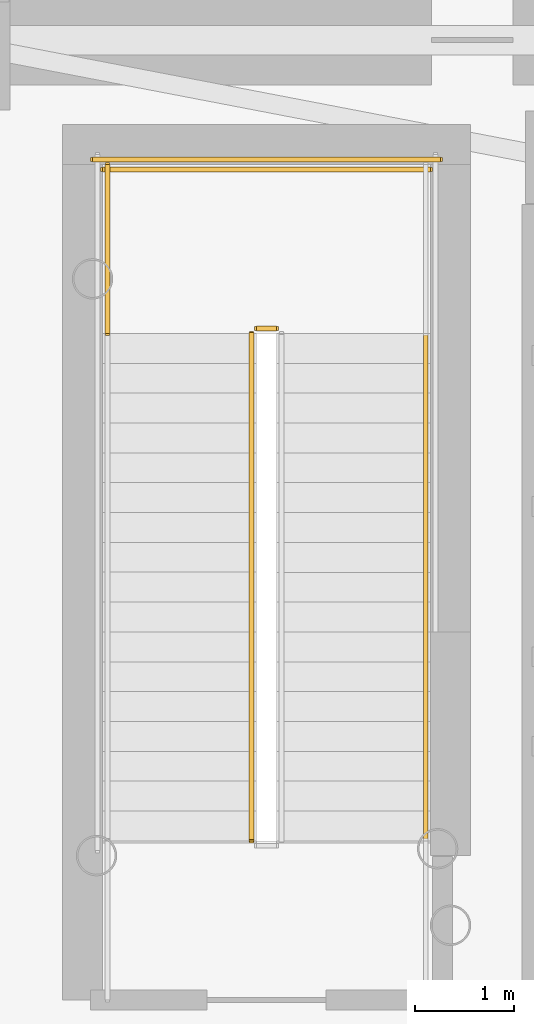
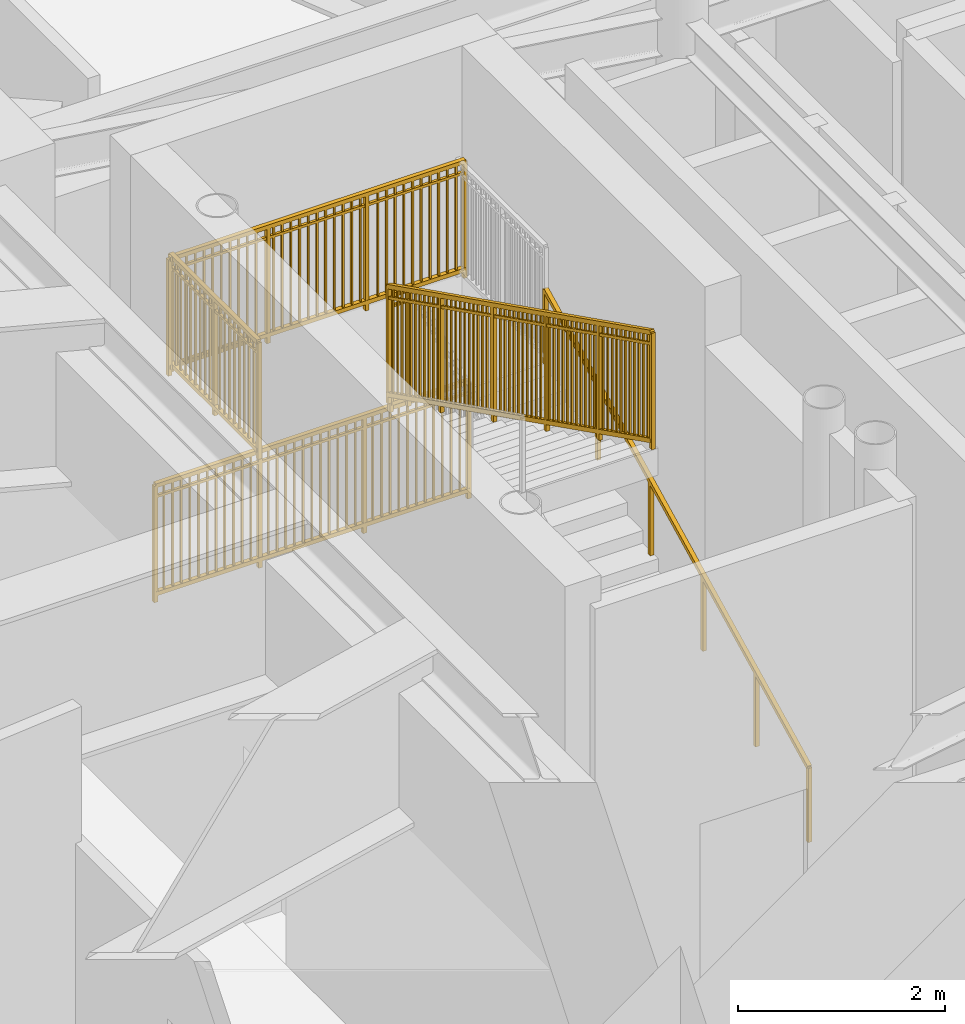
# One storey, part 18 of 22: 6 railings.
"""IFC4 building model written with IfcOpenShell, lengths in metres."""

from ifc_helpers import new_model, si_unit, direction, frame, origin, origin_2d, place, context, subcontext, project, spatial, rectangle, extrude, source, transform, mapped, material, type_object, element, save


model = new_model("IFC4")

# Units and contexts
model_context = context("Model", 3, precision=1e-05, world=origin(), true_north=direction((0.0, 1.0)))
body_context = subcontext(model_context, "Body", "Model", "MODEL_VIEW")
ifc_project = project(units=[si_unit("LENGTHUNIT", "METRE"), si_unit("AREAUNIT", "SQUARE_METRE"), si_unit("VOLUMEUNIT", "CUBIC_METRE"), si_unit("PLANEANGLEUNIT", "RADIAN"), si_unit("MASSUNIT", "GRAM", prefix="KILO")], contexts=[model_context])

# Site, building, storey
site_placement = place(None, origin())
site = spatial("IfcSite", under=ifc_project, at=site_placement, CompositionType="ELEMENT")
building_placement = place(site_placement, origin())
building = spatial("IfcBuilding", under=site, at=building_placement, Name="Linh Dai School and Residence Tower", CompositionType="ELEMENT")
storey_placement = place(building_placement, frame((0.0, 0.0, 87.0)))
storey = spatial("IfcBuildingStorey", under=building, at=storey_placement, Name="L20", CompositionType="ELEMENT", Elevation=87.0)

# Railings
ifc_material_1 = material(Name="Structural Steel S355JR", Category="steel")
railing_type_1 = type_object("IfcRailingType", Name="RL-ST-GUARD-1400", PredefinedType="GUARDRAIL", material=ifc_material_1)
shared_shape_1 = source(origin(), body_context, "Body", "SweptSolid", [
    extrude(rectangle(XDim=0.048095703125, YDim=0.048095703125, at=origin_2d()), frame((0.0, 0.0, 1.3759765625), z_axis=(-1.0, 0.0, 0.0), x_axis=(0.0, -1.0, 0.0)), (0.0, 0.0, 1.0), 0.199951171875),
    extrude(rectangle(XDim=0.048095703125, YDim=0.048095703125, at=origin_2d()), frame((0.0, 0.0, 0.10009765625), z_axis=(-1.0, 0.0, 0.0), x_axis=(0.0, -1.0, 0.0)), (0.0, 0.0, 1.0), 0.199951171875),
    extrude(rectangle(XDim=0.030029296875, YDim=0.030029296875, at=origin_2d()), frame((0.0, 0.0, 1.239990234375), z_axis=(-1.0, 0.0, 0.0), x_axis=(0.0, -1.0, 0.0)), (0.0, 0.0, 1.0), 0.199951171875),
    extrude(rectangle(XDim=0.0419921875, YDim=0.0419921875, at=origin_2d()), origin(), (0.0, 0.0, 1.0), 1.3759765625),
    extrude(rectangle(XDim=0.0419921875, YDim=0.0419921875, at=origin_2d()), frame((-0.199951171875, 0.0, 0.0)), (0.0, 0.0, 1.0), 1.3759765625),
])
railing_1_placement = place(storey_placement, frame((29.429931640625, 30.85009765625, 2.699951171875)))
element("IfcRailing", 1, at=railing_1_placement, inside=storey, type_object=railing_type_1, Name="L20 ST1 stair guard 2", PredefinedType="GUARDRAIL", context=body_context, shape_type="MappedRepresentation", body=[
    mapped(shared_shape_1, transform((0.0, 0.0, 0.0), x_axis=(1.0, 0.0, 0.0), y_axis=(0.0, 1.0, 0.0), z_axis=(0.0, 0.0, 1.0), scale=1.0)),
])
shared_shape_2 = source(origin(), body_context, "Body", "SweptSolid", [
    extrude(rectangle(XDim=0.048095703125, YDim=0.048095703125, at=origin_2d()), frame((0.0, 0.0, 1.3759765625), z_axis=(-1.0, 0.0, 0.0), x_axis=(0.0, -1.0, 0.0)), (0.0, 0.0, 1.0), 3.300048828125),
    extrude(rectangle(XDim=0.048095703125, YDim=0.048095703125, at=origin_2d()), frame((0.0, 0.0, 0.10009765625), z_axis=(-1.0, 0.0, 0.0), x_axis=(0.0, -1.0, 0.0)), (0.0, 0.0, 1.0), 3.300048828125),
    extrude(rectangle(XDim=0.030029296875, YDim=0.030029296875, at=origin_2d()), frame((0.0, 0.0, 1.239990234375), z_axis=(-1.0, 0.0, 0.0), x_axis=(0.0, -1.0, 0.0)), (0.0, 0.0, 1.0), 3.300048828125),
    extrude(rectangle(XDim=0.02001953125, YDim=0.02001953125, at=origin_2d()), frame((-0.09716796875, 0.0, 0.10009765625)), (0.0, 0.0, 1.0), 1.251708984375),
    extrude(rectangle(XDim=0.02001953125, YDim=0.02001953125, at=origin_2d()), frame((-0.194091796875, 0.0, 0.10009765625)), (0.0, 0.0, 1.0), 1.251708984375),
    extrude(rectangle(XDim=0.02001953125, YDim=0.02001953125, at=origin_2d()), frame((-0.291259765625, 0.0, 0.10009765625)), (0.0, 0.0, 1.0), 1.251708984375),
    extrude(rectangle(XDim=0.02001953125, YDim=0.02001953125, at=origin_2d()), frame((-0.38818359375, 0.0, 0.10009765625)), (0.0, 0.0, 1.0), 1.251708984375),
    extrude(rectangle(XDim=0.02001953125, YDim=0.02001953125, at=origin_2d()), frame((-0.4853515625, 0.0, 0.10009765625)), (0.0, 0.0, 1.0), 1.251708984375),
    extrude(rectangle(XDim=0.02001953125, YDim=0.02001953125, at=origin_2d()), frame((-0.582275390625, 0.0, 0.10009765625)), (0.0, 0.0, 1.0), 1.251708984375),
    extrude(rectangle(XDim=0.02001953125, YDim=0.02001953125, at=origin_2d()), frame((-0.679443359375, 0.0, 0.10009765625)), (0.0, 0.0, 1.0), 1.251708984375),
    extrude(rectangle(XDim=0.02001953125, YDim=0.02001953125, at=origin_2d()), frame((-0.7763671875, 0.0, 0.10009765625)), (0.0, 0.0, 1.0), 1.251708984375),
    extrude(rectangle(XDim=0.02001953125, YDim=0.02001953125, at=origin_2d()), frame((-0.87353515625, 0.0, 0.10009765625)), (0.0, 0.0, 1.0), 1.251708984375),
    extrude(rectangle(XDim=0.02001953125, YDim=0.02001953125, at=origin_2d()), frame((-0.970703125, 0.0, 0.10009765625)), (0.0, 0.0, 1.0), 1.251708984375),
    extrude(rectangle(XDim=0.02001953125, YDim=0.02001953125, at=origin_2d()), frame((-1.164794921875, 0.0, 0.10009765625)), (0.0, 0.0, 1.0), 1.251708984375),
    extrude(rectangle(XDim=0.02001953125, YDim=0.02001953125, at=origin_2d()), frame((-1.26171875, 0.0, 0.10009765625)), (0.0, 0.0, 1.0), 1.251708984375),
    extrude(rectangle(XDim=0.02001953125, YDim=0.02001953125, at=origin_2d()), frame((-1.35888671875, 0.0, 0.10009765625)), (0.0, 0.0, 1.0), 1.251708984375),
    extrude(rectangle(XDim=0.02001953125, YDim=0.02001953125, at=origin_2d()), frame((-1.455810546875, 0.0, 0.10009765625)), (0.0, 0.0, 1.0), 1.251708984375),
    extrude(rectangle(XDim=0.02001953125, YDim=0.02001953125, at=origin_2d()), frame((-1.552978515625, 0.0, 0.10009765625)), (0.0, 0.0, 1.0), 1.251708984375),
    extrude(rectangle(XDim=0.02001953125, YDim=0.02001953125, at=origin_2d()), frame((-1.64990234375, 0.0, 0.10009765625)), (0.0, 0.0, 1.0), 1.251708984375),
    extrude(rectangle(XDim=0.02001953125, YDim=0.02001953125, at=origin_2d()), frame((-1.7470703125, 0.0, 0.10009765625)), (0.0, 0.0, 1.0), 1.251708984375),
    extrude(rectangle(XDim=0.02001953125, YDim=0.02001953125, at=origin_2d()), frame((-1.84423828125, 0.0, 0.10009765625)), (0.0, 0.0, 1.0), 1.251708984375),
    extrude(rectangle(XDim=0.02001953125, YDim=0.02001953125, at=origin_2d()), frame((-1.941162109375, 0.0, 0.10009765625)), (0.0, 0.0, 1.0), 1.251708984375),
    extrude(rectangle(XDim=0.02001953125, YDim=0.02001953125, at=origin_2d()), frame((-2.038330078125, 0.0, 0.10009765625)), (0.0, 0.0, 1.0), 1.251708984375),
    extrude(rectangle(XDim=0.02001953125, YDim=0.02001953125, at=origin_2d()), frame((-2.13525390625, 0.0, 0.10009765625)), (0.0, 0.0, 1.0), 1.251708984375),
    extrude(rectangle(XDim=0.02001953125, YDim=0.02001953125, at=origin_2d()), frame((-2.329345703125, 0.0, 0.10009765625)), (0.0, 0.0, 1.0), 1.251708984375),
    extrude(rectangle(XDim=0.02001953125, YDim=0.02001953125, at=origin_2d()), frame((-2.426513671875, 0.0, 0.10009765625)), (0.0, 0.0, 1.0), 1.251708984375),
    extrude(rectangle(XDim=0.02001953125, YDim=0.02001953125, at=origin_2d()), frame((-2.523681640625, 0.0, 0.10009765625)), (0.0, 0.0, 1.0), 1.251708984375),
    extrude(rectangle(XDim=0.02001953125, YDim=0.02001953125, at=origin_2d()), frame((-2.62060546875, 0.0, 0.10009765625)), (0.0, 0.0, 1.0), 1.251708984375),
    extrude(rectangle(XDim=0.02001953125, YDim=0.02001953125, at=origin_2d()), frame((-2.7177734375, 0.0, 0.10009765625)), (0.0, 0.0, 1.0), 1.251708984375),
    extrude(rectangle(XDim=0.02001953125, YDim=0.02001953125, at=origin_2d()), frame((-2.814697265625, 0.0, 0.10009765625)), (0.0, 0.0, 1.0), 1.251708984375),
    extrude(rectangle(XDim=0.02001953125, YDim=0.02001953125, at=origin_2d()), frame((-2.911865234375, 0.0, 0.10009765625)), (0.0, 0.0, 1.0), 1.251708984375),
    extrude(rectangle(XDim=0.02001953125, YDim=0.02001953125, at=origin_2d()), frame((-3.0087890625, 0.0, 0.10009765625)), (0.0, 0.0, 1.0), 1.251708984375),
    extrude(rectangle(XDim=0.02001953125, YDim=0.02001953125, at=origin_2d()), frame((-3.10595703125, 0.0, 0.10009765625)), (0.0, 0.0, 1.0), 1.251708984375),
    extrude(rectangle(XDim=0.02001953125, YDim=0.02001953125, at=origin_2d()), frame((-3.202880859375, 0.0, 0.10009765625)), (0.0, 0.0, 1.0), 1.251708984375),
    extrude(rectangle(XDim=0.0419921875, YDim=0.0419921875, at=origin_2d()), origin(), (0.0, 0.0, 1.0), 1.3759765625),
    extrude(rectangle(XDim=0.0419921875, YDim=0.0419921875, at=origin_2d()), frame((-1.10009765625, 0.0, 0.0)), (0.0, 0.0, 1.0), 1.3759765625),
    extrude(rectangle(XDim=0.0419921875, YDim=0.0419921875, at=origin_2d()), frame((-2.199951171875, 0.0, 0.0)), (0.0, 0.0, 1.0), 1.3759765625),
    extrude(rectangle(XDim=0.0419921875, YDim=0.0419921875, at=origin_2d()), frame((-3.300048828125, 0.0, 0.0)), (0.0, 0.0, 1.0), 1.3759765625),
])
railing_2_placement = place(storey_placement, frame((30.97998046875, 32.449951171875, 2.699951171875)))
element("IfcRailing", 2, at=railing_2_placement, inside=storey, type_object=railing_type_1, Name="L20 ST1 stair guard 5", PredefinedType="GUARDRAIL", context=body_context, shape_type="MappedRepresentation", body=[
    mapped(shared_shape_2, transform((0.0, 0.0, 0.0), x_axis=(1.0, 0.0, 0.0), y_axis=(0.0, 1.0, 0.0), z_axis=(0.0, 0.0, 1.0), scale=1.0)),
])
shared_shape_3 = source(origin(), body_context, "Body", "SweptSolid", [
    extrude(rectangle(XDim=0.048095703125, YDim=0.048095703125, at=origin_2d()), frame((0.0, 0.0, 1.3759765625), z_axis=(-1.0, 0.0, 0.0), x_axis=(0.0, -1.0, 0.0)), (0.0, 0.0, 1.0), 3.5),
    extrude(rectangle(XDim=0.048095703125, YDim=0.048095703125, at=origin_2d()), frame((0.0, 0.0, 0.10009765625), z_axis=(-1.0, 0.0, 0.0), x_axis=(0.0, -1.0, 0.0)), (0.0, 0.0, 1.0), 3.5),
    extrude(rectangle(XDim=0.030029296875, YDim=0.030029296875, at=origin_2d()), frame((0.0, 0.0, 1.239990234375), z_axis=(-1.0, 0.0, 0.0), x_axis=(0.0, -1.0, 0.0)), (0.0, 0.0, 1.0), 3.5),
    extrude(rectangle(XDim=0.02001953125, YDim=0.02001953125, at=origin_2d()), frame((-0.09716796875, 0.0, 0.10009765625)), (0.0, 0.0, 1.0), 1.251708984375),
    extrude(rectangle(XDim=0.02001953125, YDim=0.02001953125, at=origin_2d()), frame((-0.1943359375, 0.0, 0.10009765625)), (0.0, 0.0, 1.0), 1.251708984375),
    extrude(rectangle(XDim=0.02001953125, YDim=0.02001953125, at=origin_2d()), frame((-0.291748046875, 0.0, 0.10009765625)), (0.0, 0.0, 1.0), 1.251708984375),
    extrude(rectangle(XDim=0.02001953125, YDim=0.02001953125, at=origin_2d()), frame((-0.388916015625, 0.0, 0.10009765625)), (0.0, 0.0, 1.0), 1.251708984375),
    extrude(rectangle(XDim=0.02001953125, YDim=0.02001953125, at=origin_2d()), frame((-0.486083984375, 0.0, 0.10009765625)), (0.0, 0.0, 1.0), 1.251708984375),
    extrude(rectangle(XDim=0.02001953125, YDim=0.02001953125, at=origin_2d()), frame((-0.583251953125, 0.0, 0.10009765625)), (0.0, 0.0, 1.0), 1.251708984375),
    extrude(rectangle(XDim=0.02001953125, YDim=0.02001953125, at=origin_2d()), frame((-0.6806640625, 0.0, 0.10009765625)), (0.0, 0.0, 1.0), 1.251708984375),
    extrude(rectangle(XDim=0.02001953125, YDim=0.02001953125, at=origin_2d()), frame((-0.77783203125, 0.0, 0.10009765625)), (0.0, 0.0, 1.0), 1.251708984375),
    extrude(rectangle(XDim=0.02001953125, YDim=0.02001953125, at=origin_2d()), frame((-0.875, 0.0, 0.10009765625)), (0.0, 0.0, 1.0), 1.251708984375),
    extrude(rectangle(XDim=0.02001953125, YDim=0.02001953125, at=origin_2d()), frame((-0.97216796875, 0.0, 0.10009765625)), (0.0, 0.0, 1.0), 1.251708984375),
    extrude(rectangle(XDim=0.02001953125, YDim=0.02001953125, at=origin_2d()), frame((-1.0693359375, 0.0, 0.10009765625)), (0.0, 0.0, 1.0), 1.251708984375),
    extrude(rectangle(XDim=0.02001953125, YDim=0.02001953125, at=origin_2d()), frame((-1.263916015625, 0.0, 0.10009765625)), (0.0, 0.0, 1.0), 1.251708984375),
    extrude(rectangle(XDim=0.02001953125, YDim=0.02001953125, at=origin_2d()), frame((-1.361083984375, 0.0, 0.10009765625)), (0.0, 0.0, 1.0), 1.251708984375),
    extrude(rectangle(XDim=0.02001953125, YDim=0.02001953125, at=origin_2d()), frame((-1.458251953125, 0.0, 0.10009765625)), (0.0, 0.0, 1.0), 1.251708984375),
    extrude(rectangle(XDim=0.02001953125, YDim=0.02001953125, at=origin_2d()), frame((-1.5556640625, 0.0, 0.10009765625)), (0.0, 0.0, 1.0), 1.251708984375),
    extrude(rectangle(XDim=0.02001953125, YDim=0.02001953125, at=origin_2d()), frame((-1.65283203125, 0.0, 0.10009765625)), (0.0, 0.0, 1.0), 1.251708984375),
    extrude(rectangle(XDim=0.02001953125, YDim=0.02001953125, at=origin_2d()), frame((-1.75, 0.0, 0.10009765625)), (0.0, 0.0, 1.0), 1.251708984375),
    extrude(rectangle(XDim=0.02001953125, YDim=0.02001953125, at=origin_2d()), frame((-1.84716796875, 0.0, 0.10009765625)), (0.0, 0.0, 1.0), 1.251708984375),
    extrude(rectangle(XDim=0.02001953125, YDim=0.02001953125, at=origin_2d()), frame((-1.9443359375, 0.0, 0.10009765625)), (0.0, 0.0, 1.0), 1.251708984375),
    extrude(rectangle(XDim=0.02001953125, YDim=0.02001953125, at=origin_2d()), frame((-2.041748046875, 0.0, 0.10009765625)), (0.0, 0.0, 1.0), 1.251708984375),
    extrude(rectangle(XDim=0.02001953125, YDim=0.02001953125, at=origin_2d()), frame((-2.138916015625, 0.0, 0.10009765625)), (0.0, 0.0, 1.0), 1.251708984375),
    extrude(rectangle(XDim=0.02001953125, YDim=0.02001953125, at=origin_2d()), frame((-2.236083984375, 0.0, 0.10009765625)), (0.0, 0.0, 1.0), 1.251708984375),
    extrude(rectangle(XDim=0.02001953125, YDim=0.02001953125, at=origin_2d()), frame((-2.4306640625, 0.0, 0.10009765625)), (0.0, 0.0, 1.0), 1.251708984375),
    extrude(rectangle(XDim=0.02001953125, YDim=0.02001953125, at=origin_2d()), frame((-2.52783203125, 0.0, 0.10009765625)), (0.0, 0.0, 1.0), 1.251708984375),
    extrude(rectangle(XDim=0.02001953125, YDim=0.02001953125, at=origin_2d()), frame((-2.625, 0.0, 0.10009765625)), (0.0, 0.0, 1.0), 1.251708984375),
    extrude(rectangle(XDim=0.02001953125, YDim=0.02001953125, at=origin_2d()), frame((-2.72216796875, 0.0, 0.10009765625)), (0.0, 0.0, 1.0), 1.251708984375),
    extrude(rectangle(XDim=0.02001953125, YDim=0.02001953125, at=origin_2d()), frame((-2.8193359375, 0.0, 0.10009765625)), (0.0, 0.0, 1.0), 1.251708984375),
    extrude(rectangle(XDim=0.02001953125, YDim=0.02001953125, at=origin_2d()), frame((-2.916748046875, 0.0, 0.10009765625)), (0.0, 0.0, 1.0), 1.251708984375),
    extrude(rectangle(XDim=0.02001953125, YDim=0.02001953125, at=origin_2d()), frame((-3.013916015625, 0.0, 0.10009765625)), (0.0, 0.0, 1.0), 1.251708984375),
    extrude(rectangle(XDim=0.02001953125, YDim=0.02001953125, at=origin_2d()), frame((-3.111083984375, 0.0, 0.10009765625)), (0.0, 0.0, 1.0), 1.251708984375),
    extrude(rectangle(XDim=0.02001953125, YDim=0.02001953125, at=origin_2d()), frame((-3.208251953125, 0.0, 0.10009765625)), (0.0, 0.0, 1.0), 1.251708984375),
    extrude(rectangle(XDim=0.02001953125, YDim=0.02001953125, at=origin_2d()), frame((-3.3056640625, 0.0, 0.10009765625)), (0.0, 0.0, 1.0), 1.251708984375),
    extrude(rectangle(XDim=0.02001953125, YDim=0.02001953125, at=origin_2d()), frame((-3.40283203125, 0.0, 0.10009765625)), (0.0, 0.0, 1.0), 1.251708984375),
    extrude(rectangle(XDim=0.0419921875, YDim=0.0419921875, at=origin_2d()), origin(), (0.0, 0.0, 1.0), 1.3759765625),
    extrude(rectangle(XDim=0.0419921875, YDim=0.0419921875, at=origin_2d()), frame((-1.166748046875, 0.0, 0.0)), (0.0, 0.0, 1.0), 1.3759765625),
    extrude(rectangle(XDim=0.0419921875, YDim=0.0419921875, at=origin_2d()), frame((-2.333251953125, 0.0, 0.0)), (0.0, 0.0, 1.0), 1.3759765625),
    extrude(rectangle(XDim=0.0419921875, YDim=0.0419921875, at=origin_2d()), frame((-3.5, 0.0, 0.0)), (0.0, 0.0, 1.0), 1.3759765625),
])
railing_3_placement = place(storey_placement, frame((31.080078125, 32.550048828125, 0.0)))
element("IfcRailing", 3, at=railing_3_placement, inside=storey, type_object=railing_type_1, Name="L20 ST1 stair guard 12", PredefinedType="GUARDRAIL", context=body_context, shape_type="MappedRepresentation", body=[
    mapped(shared_shape_3, transform((0.0, 0.0, 0.0), x_axis=(1.0, 0.0, 0.0), y_axis=(0.0, 1.0, 0.0), z_axis=(0.0, 0.0, 1.0), scale=1.0)),
])
shared_shape_4 = source(origin(), body_context, "Body", "SweptSolid", [
    extrude(rectangle(XDim=0.048095703125, YDim=0.048095703125, at=origin_2d()), frame((0.0, 0.0, 1.3759765625), z_axis=(0.0, 1.0, 0.0), x_axis=(-1.0, 0.0, 0.0)), (0.0, 0.0, 1.0), 1.699951171875),
    extrude(rectangle(XDim=0.048095703125, YDim=0.048095703125, at=origin_2d()), frame((0.0, 0.0, 0.10009765625), z_axis=(0.0, 1.0, 0.0), x_axis=(-1.0, 0.0, 0.0)), (0.0, 0.0, 1.0), 1.699951171875),
    extrude(rectangle(XDim=0.030029296875, YDim=0.030029296875, at=origin_2d()), frame((0.0, 0.0, 1.239990234375), z_axis=(0.0, 1.0, 0.0), x_axis=(-1.0, 0.0, 0.0)), (0.0, 0.0, 1.0), 1.699951171875),
    extrude(rectangle(XDim=0.02001953125, YDim=0.02001953125, at=origin_2d()), frame((0.0, 0.094482421875, 0.10009765625)), (0.0, 0.0, 1.0), 1.251708984375),
    extrude(rectangle(XDim=0.02001953125, YDim=0.02001953125, at=origin_2d()), frame((0.0, 0.18896484375, 0.10009765625)), (0.0, 0.0, 1.0), 1.251708984375),
    extrude(rectangle(XDim=0.02001953125, YDim=0.02001953125, at=origin_2d()), frame((0.0, 0.283203125, 0.10009765625)), (0.0, 0.0, 1.0), 1.251708984375),
    extrude(rectangle(XDim=0.02001953125, YDim=0.02001953125, at=origin_2d()), frame((0.0, 0.377685546875, 0.10009765625)), (0.0, 0.0, 1.0), 1.251708984375),
    extrude(rectangle(XDim=0.02001953125, YDim=0.02001953125, at=origin_2d()), frame((0.0, 0.47216796875, 0.10009765625)), (0.0, 0.0, 1.0), 1.251708984375),
    extrude(rectangle(XDim=0.02001953125, YDim=0.02001953125, at=origin_2d()), frame((0.0, 0.566650390625, 0.10009765625)), (0.0, 0.0, 1.0), 1.251708984375),
    extrude(rectangle(XDim=0.02001953125, YDim=0.02001953125, at=origin_2d()), frame((0.0, 0.6611328125, 0.10009765625)), (0.0, 0.0, 1.0), 1.251708984375),
    extrude(rectangle(XDim=0.02001953125, YDim=0.02001953125, at=origin_2d()), frame((0.0, 0.755615234375, 0.10009765625)), (0.0, 0.0, 1.0), 1.251708984375),
    extrude(rectangle(XDim=0.02001953125, YDim=0.02001953125, at=origin_2d()), frame((0.0, 0.9443359375, 0.10009765625)), (0.0, 0.0, 1.0), 1.251708984375),
    extrude(rectangle(XDim=0.02001953125, YDim=0.02001953125, at=origin_2d()), frame((0.0, 1.038818359375, 0.10009765625)), (0.0, 0.0, 1.0), 1.251708984375),
    extrude(rectangle(XDim=0.02001953125, YDim=0.02001953125, at=origin_2d()), frame((0.0, 1.13330078125, 0.10009765625)), (0.0, 0.0, 1.0), 1.251708984375),
    extrude(rectangle(XDim=0.02001953125, YDim=0.02001953125, at=origin_2d()), frame((0.0, 1.227783203125, 0.10009765625)), (0.0, 0.0, 1.0), 1.251708984375),
    extrude(rectangle(XDim=0.02001953125, YDim=0.02001953125, at=origin_2d()), frame((0.0, 1.322265625, 0.10009765625)), (0.0, 0.0, 1.0), 1.251708984375),
    extrude(rectangle(XDim=0.02001953125, YDim=0.02001953125, at=origin_2d()), frame((0.0, 1.41650390625, 0.10009765625)), (0.0, 0.0, 1.0), 1.251708984375),
    extrude(rectangle(XDim=0.02001953125, YDim=0.02001953125, at=origin_2d()), frame((0.0, 1.510986328125, 0.10009765625)), (0.0, 0.0, 1.0), 1.251708984375),
    extrude(rectangle(XDim=0.02001953125, YDim=0.02001953125, at=origin_2d()), frame((0.0, 1.60546875, 0.10009765625)), (0.0, 0.0, 1.0), 1.251708984375),
    extrude(rectangle(XDim=0.0419921875, YDim=0.0419921875, at=origin_2d()), origin(), (0.0, 0.0, 1.0), 1.3759765625),
    extrude(rectangle(XDim=0.0419921875, YDim=0.0419921875, at=origin_2d()), frame((0.0, 0.85009765625, 0.0)), (0.0, 0.0, 1.0), 1.3759765625),
    extrude(rectangle(XDim=0.0419921875, YDim=0.0419921875, at=origin_2d()), frame((0.0, 1.699951171875, 0.0)), (0.0, 0.0, 1.0), 1.3759765625),
])
railing_4_placement = place(storey_placement, frame((27.72998046875, 30.800048828125, 2.699951171875)))
element("IfcRailing", 4, at=railing_4_placement, inside=storey, type_object=railing_type_1, Name="L20 ST1 stair guard 4", PredefinedType="GUARDRAIL", context=body_context, shape_type="MappedRepresentation", body=[
    mapped(shared_shape_4, transform((0.0, 0.0, 0.0), x_axis=(1.0, 0.0, 0.0), y_axis=(0.0, 1.0, 0.0), z_axis=(0.0, 0.0, 1.0), scale=1.0)),
])
shared_shape_5 = source(origin(), body_context, "Body", "SweptSolid", [
    extrude(rectangle(XDim=0.048095703125, YDim=0.048095703125, at=origin_2d()), frame((0.0, 0.0, 1.3759765625), z_axis=(0.0, -0.89444431709, 0.44717934168), x_axis=(1.0, 0.0, 0.0)), (0.0, 0.0, 1.0), 5.701904296875),
    extrude(rectangle(XDim=0.048095703125, YDim=0.048095703125, at=origin_2d()), frame((0.0, 0.0, 0.10009765625), z_axis=(0.0, -0.89444431709, 0.44717934168), x_axis=(1.0, 0.0, 0.0)), (0.0, 0.0, 1.0), 5.701904296875),
    extrude(rectangle(XDim=0.030029296875, YDim=0.030029296875, at=origin_2d()), frame((0.0, 0.0, 1.239990234375), z_axis=(0.0, -0.89444431709, 0.44717934168), x_axis=(1.0, 0.0, 0.0)), (0.0, 0.0, 1.0), 5.701904296875),
    extrude(rectangle(XDim=0.02001953125, YDim=0.02001953125, at=origin_2d()), frame((0.0, -0.08642578125, 0.143310546875)), (0.0, 0.0, 1.0), 1.251708984375),
    extrude(rectangle(XDim=0.02001953125, YDim=0.02001953125, at=origin_2d()), frame((0.0, -0.1728515625, 0.1865234375)), (0.0, 0.0, 1.0), 1.251708984375),
    extrude(rectangle(XDim=0.02001953125, YDim=0.02001953125, at=origin_2d()), frame((0.0, -0.25927734375, 0.229736328125)), (0.0, 0.0, 1.0), 1.251708984375),
    extrude(rectangle(XDim=0.02001953125, YDim=0.02001953125, at=origin_2d()), frame((0.0, -0.345703125, 0.27294921875)), (0.0, 0.0, 1.0), 1.251708984375),
    extrude(rectangle(XDim=0.02001953125, YDim=0.02001953125, at=origin_2d()), frame((0.0, -0.43212890625, 0.316162109375)), (0.0, 0.0, 1.0), 1.251708984375),
    extrude(rectangle(XDim=0.02001953125, YDim=0.02001953125, at=origin_2d()), frame((0.0, -0.5185546875, 0.359375)), (0.0, 0.0, 1.0), 1.251708984375),
    extrude(rectangle(XDim=0.02001953125, YDim=0.02001953125, at=origin_2d()), frame((0.0, -0.60498046875, 0.402587890625)), (0.0, 0.0, 1.0), 1.251708984375),
    extrude(rectangle(XDim=0.02001953125, YDim=0.02001953125, at=origin_2d()), frame((0.0, -0.691650390625, 0.44580078125)), (0.0, 0.0, 1.0), 1.251708984375),
    extrude(rectangle(XDim=0.02001953125, YDim=0.02001953125, at=origin_2d()), frame((0.0, -0.778076171875, 0.489013671875)), (0.0, 0.0, 1.0), 1.251708984375),
    extrude(rectangle(XDim=0.02001953125, YDim=0.02001953125, at=origin_2d()), frame((0.0, -0.864501953125, 0.5322265625)), (0.0, 0.0, 1.0), 1.251708984375),
    extrude(rectangle(XDim=0.02001953125, YDim=0.02001953125, at=origin_2d()), frame((0.0, -0.950927734375, 0.575439453125)), (0.0, 0.0, 1.0), 1.251708984375),
    extrude(rectangle(XDim=0.02001953125, YDim=0.02001953125, at=origin_2d()), frame((0.0, -1.123779296875, 0.661865234375)), (0.0, 0.0, 1.0), 1.251708984375),
    extrude(rectangle(XDim=0.02001953125, YDim=0.02001953125, at=origin_2d()), frame((0.0, -1.210205078125, 0.705078125)), (0.0, 0.0, 1.0), 1.251708984375),
    extrude(rectangle(XDim=0.02001953125, YDim=0.02001953125, at=origin_2d()), frame((0.0, -1.296630859375, 0.748291015625)), (0.0, 0.0, 1.0), 1.251708984375),
    extrude(rectangle(XDim=0.02001953125, YDim=0.02001953125, at=origin_2d()), frame((0.0, -1.383056640625, 0.79150390625)), (0.0, 0.0, 1.0), 1.251708984375),
    extrude(rectangle(XDim=0.02001953125, YDim=0.02001953125, at=origin_2d()), frame((0.0, -1.469482421875, 0.834716796875)), (0.0, 0.0, 1.0), 1.251708984375),
    extrude(rectangle(XDim=0.02001953125, YDim=0.02001953125, at=origin_2d()), frame((0.0, -1.555908203125, 0.8779296875)), (0.0, 0.0, 1.0), 1.251708984375),
    extrude(rectangle(XDim=0.02001953125, YDim=0.02001953125, at=origin_2d()), frame((0.0, -1.642333984375, 0.921142578125)), (0.0, 0.0, 1.0), 1.251708984375),
    extrude(rectangle(XDim=0.02001953125, YDim=0.02001953125, at=origin_2d()), frame((0.0, -1.728759765625, 0.96435546875)), (0.0, 0.0, 1.0), 1.251708984375),
    extrude(rectangle(XDim=0.02001953125, YDim=0.02001953125, at=origin_2d()), frame((0.0, -1.815185546875, 1.007568359375)), (0.0, 0.0, 1.0), 1.251708984375),
    extrude(rectangle(XDim=0.02001953125, YDim=0.02001953125, at=origin_2d()), frame((0.0, -1.901611328125, 1.05078125)), (0.0, 0.0, 1.0), 1.251708984375),
    extrude(rectangle(XDim=0.02001953125, YDim=0.02001953125, at=origin_2d()), frame((0.0, -1.98828125, 1.093994140625)), (0.0, 0.0, 1.0), 1.251708984375),
    extrude(rectangle(XDim=0.02001953125, YDim=0.02001953125, at=origin_2d()), frame((0.0, -2.1611328125, 1.180419921875)), (0.0, 0.0, 1.0), 1.251708984375),
    extrude(rectangle(XDim=0.02001953125, YDim=0.02001953125, at=origin_2d()), frame((0.0, -2.24755859375, 1.2236328125)), (0.0, 0.0, 1.0), 1.251708984375),
    extrude(rectangle(XDim=0.02001953125, YDim=0.02001953125, at=origin_2d()), frame((0.0, -2.333984375, 1.266845703125)), (0.0, 0.0, 1.0), 1.251708984375),
    extrude(rectangle(XDim=0.02001953125, YDim=0.02001953125, at=origin_2d()), frame((0.0, -2.42041015625, 1.31005859375)), (0.0, 0.0, 1.0), 1.251708984375),
    extrude(rectangle(XDim=0.02001953125, YDim=0.02001953125, at=origin_2d()), frame((0.0, -2.5068359375, 1.353271484375)), (0.0, 0.0, 1.0), 1.251708984375),
    extrude(rectangle(XDim=0.02001953125, YDim=0.02001953125, at=origin_2d()), frame((0.0, -2.59326171875, 1.396728515625)), (0.0, 0.0, 1.0), 1.251708984375),
    extrude(rectangle(XDim=0.02001953125, YDim=0.02001953125, at=origin_2d()), frame((0.0, -2.6796875, 1.43994140625)), (0.0, 0.0, 1.0), 1.251708984375),
    extrude(rectangle(XDim=0.02001953125, YDim=0.02001953125, at=origin_2d()), frame((0.0, -2.76611328125, 1.483154296875)), (0.0, 0.0, 1.0), 1.251708984375),
    extrude(rectangle(XDim=0.02001953125, YDim=0.02001953125, at=origin_2d()), frame((0.0, -2.8525390625, 1.5263671875)), (0.0, 0.0, 1.0), 1.251708984375),
    extrude(rectangle(XDim=0.02001953125, YDim=0.02001953125, at=origin_2d()), frame((0.0, -2.93896484375, 1.569580078125)), (0.0, 0.0, 1.0), 1.251708984375),
    extrude(rectangle(XDim=0.02001953125, YDim=0.02001953125, at=origin_2d()), frame((0.0, -3.11181640625, 1.656005859375)), (0.0, 0.0, 1.0), 1.251708984375),
    extrude(rectangle(XDim=0.02001953125, YDim=0.02001953125, at=origin_2d()), frame((0.0, -3.198486328125, 1.69921875)), (0.0, 0.0, 1.0), 1.251708984375),
    extrude(rectangle(XDim=0.02001953125, YDim=0.02001953125, at=origin_2d()), frame((0.0, -3.284912109375, 1.742431640625)), (0.0, 0.0, 1.0), 1.251708984375),
    extrude(rectangle(XDim=0.02001953125, YDim=0.02001953125, at=origin_2d()), frame((0.0, -3.371337890625, 1.78564453125)), (0.0, 0.0, 1.0), 1.251708984375),
    extrude(rectangle(XDim=0.02001953125, YDim=0.02001953125, at=origin_2d()), frame((0.0, -3.457763671875, 1.828857421875)), (0.0, 0.0, 1.0), 1.251708984375),
    extrude(rectangle(XDim=0.02001953125, YDim=0.02001953125, at=origin_2d()), frame((0.0, -3.544189453125, 1.8720703125)), (0.0, 0.0, 1.0), 1.251708984375),
    extrude(rectangle(XDim=0.02001953125, YDim=0.02001953125, at=origin_2d()), frame((0.0, -3.630615234375, 1.915283203125)), (0.0, 0.0, 1.0), 1.251708984375),
    extrude(rectangle(XDim=0.02001953125, YDim=0.02001953125, at=origin_2d()), frame((0.0, -3.717041015625, 1.95849609375)), (0.0, 0.0, 1.0), 1.251708984375),
    extrude(rectangle(XDim=0.02001953125, YDim=0.02001953125, at=origin_2d()), frame((0.0, -3.803466796875, 2.001708984375)), (0.0, 0.0, 1.0), 1.251708984375),
    extrude(rectangle(XDim=0.02001953125, YDim=0.02001953125, at=origin_2d()), frame((0.0, -3.889892578125, 2.044921875)), (0.0, 0.0, 1.0), 1.251708984375),
    extrude(rectangle(XDim=0.02001953125, YDim=0.02001953125, at=origin_2d()), frame((0.0, -3.976318359375, 2.088134765625)), (0.0, 0.0, 1.0), 1.251708984375),
    extrude(rectangle(XDim=0.02001953125, YDim=0.02001953125, at=origin_2d()), frame((0.0, -4.149169921875, 2.174560546875)), (0.0, 0.0, 1.0), 1.251708984375),
    extrude(rectangle(XDim=0.02001953125, YDim=0.02001953125, at=origin_2d()), frame((0.0, -4.235595703125, 2.2177734375)), (0.0, 0.0, 1.0), 1.251708984375),
    extrude(rectangle(XDim=0.02001953125, YDim=0.02001953125, at=origin_2d()), frame((0.0, -4.322021484375, 2.260986328125)), (0.0, 0.0, 1.0), 1.251708984375),
    extrude(rectangle(XDim=0.02001953125, YDim=0.02001953125, at=origin_2d()), frame((0.0, -4.408447265625, 2.30419921875)), (0.0, 0.0, 1.0), 1.251708984375),
    extrude(rectangle(XDim=0.02001953125, YDim=0.02001953125, at=origin_2d()), frame((0.0, -4.4951171875, 2.347412109375)), (0.0, 0.0, 1.0), 1.251708984375),
    extrude(rectangle(XDim=0.02001953125, YDim=0.02001953125, at=origin_2d()), frame((0.0, -4.58154296875, 2.390625)), (0.0, 0.0, 1.0), 1.251708984375),
    extrude(rectangle(XDim=0.02001953125, YDim=0.02001953125, at=origin_2d()), frame((0.0, -4.66796875, 2.433837890625)), (0.0, 0.0, 1.0), 1.251708984375),
    extrude(rectangle(XDim=0.02001953125, YDim=0.02001953125, at=origin_2d()), frame((0.0, -4.75439453125, 2.47705078125)), (0.0, 0.0, 1.0), 1.251708984375),
    extrude(rectangle(XDim=0.02001953125, YDim=0.02001953125, at=origin_2d()), frame((0.0, -4.8408203125, 2.520263671875)), (0.0, 0.0, 1.0), 1.251708984375),
    extrude(rectangle(XDim=0.02001953125, YDim=0.02001953125, at=origin_2d()), frame((0.0, -4.92724609375, 2.5634765625)), (0.0, 0.0, 1.0), 1.251708984375),
    extrude(rectangle(XDim=0.02001953125, YDim=0.02001953125, at=origin_2d()), frame((0.0, -5.013671875, 2.606689453125)), (0.0, 0.0, 1.0), 1.251708984375),
    extrude(rectangle(XDim=0.0419921875, YDim=0.0419921875, at=origin_2d()), origin(), (0.0, 0.0, 1.0), 1.3759765625),
    extrude(rectangle(XDim=0.0419921875, YDim=0.0419921875, at=origin_2d()), frame((0.0, -1.02001953125, 0.510009765625)), (0.0, 0.0, 1.0), 1.3759765625),
    extrude(rectangle(XDim=0.0419921875, YDim=0.0419921875, at=origin_2d()), frame((0.0, -2.0400390625, 1.02001953125)), (0.0, 0.0, 1.0), 1.3759765625),
    extrude(rectangle(XDim=0.0419921875, YDim=0.0419921875, at=origin_2d()), frame((0.0, -3.06005859375, 1.52978515625)), (0.0, 0.0, 1.0), 1.3759765625),
    extrude(rectangle(XDim=0.0419921875, YDim=0.0419921875, at=origin_2d()), frame((0.0, -4.080078125, 2.039794921875)), (0.0, 0.0, 1.0), 1.3759765625),
    extrude(rectangle(XDim=0.0419921875, YDim=0.0419921875, at=origin_2d()), frame((0.0, -5.10009765625, 2.5498046875)), (0.0, 0.0, 1.0), 1.3759765625),
])
railing_5_placement = place(storey_placement, frame((29.179931640625, 30.800048828125, 2.85009765625)))
element("IfcRailing", 5, at=railing_5_placement, inside=storey, type_object=railing_type_1, Name="L20 ST1 stair guard 6", PredefinedType="GUARDRAIL", context=body_context, shape_type="MappedRepresentation", body=[
    mapped(shared_shape_5, transform((0.0, 0.0, 0.0), x_axis=(1.0, 0.0, 0.0), y_axis=(0.0, 1.0, 0.0), z_axis=(0.0, 0.0, 1.0), scale=1.0)),
])
ifc_material_2 = material(Name="Brushed Stainless Steel Handrail", Category="steel")
railing_type_2 = type_object("IfcRailingType", Name="RL-ST-HANDRAIL-900", PredefinedType="HANDRAIL", material=ifc_material_2)
shared_shape_6 = source(origin(), body_context, "Body", "SweptSolid", [
    extrude(rectangle(XDim=0.048095703125, YDim=0.048095703125, at=origin_2d()), frame((0.0, 0.0, 0.8759765625), z_axis=(0.0, 0.894427191, 0.4472135955), x_axis=(-1.0, 0.0, 0.0)), (0.0, 0.0, 1.0), 5.7021484375),
    extrude(rectangle(XDim=0.0419921875, YDim=0.0419921875, at=origin_2d()), origin(), (0.0, 0.0, 1.0), 0.8759765625),
    extrude(rectangle(XDim=0.0419921875, YDim=0.0419921875, at=origin_2d()), frame((0.0, 1.02001953125, 0.510009765625)), (0.0, 0.0, 1.0), 0.8759765625),
    extrude(rectangle(XDim=0.0419921875, YDim=0.0419921875, at=origin_2d()), frame((0.0, 2.0400390625, 1.02001953125)), (0.0, 0.0, 1.0), 0.8759765625),
    extrude(rectangle(XDim=0.0419921875, YDim=0.0419921875, at=origin_2d()), frame((0.0, 3.06005859375, 1.530029296875)), (0.0, 0.0, 1.0), 0.8759765625),
    extrude(rectangle(XDim=0.0419921875, YDim=0.0419921875, at=origin_2d()), frame((0.0, 4.080078125, 2.0400390625)), (0.0, 0.0, 1.0), 0.8759765625),
    extrude(rectangle(XDim=0.0419921875, YDim=0.0419921875, at=origin_2d()), frame((0.0, 5.10009765625, 2.550048828125)), (0.0, 0.0, 1.0), 0.8759765625),
])
railing_6_placement = place(storey_placement, frame((30.929931640625, 25.699951171875, 0.14990234375)))
element("IfcRailing", 6, at=railing_6_placement, inside=storey, type_object=railing_type_2, Name="L20 ST1 stair handrail 1", PredefinedType="HANDRAIL", context=body_context, shape_type="MappedRepresentation", body=[
    mapped(shared_shape_6, transform((0.0, 0.0, 0.0), x_axis=(1.0, 0.0, 0.0), y_axis=(0.0, 1.0, 0.0), z_axis=(0.0, 0.0, 1.0), scale=1.0)),
])

save(model, "model.ifc")
